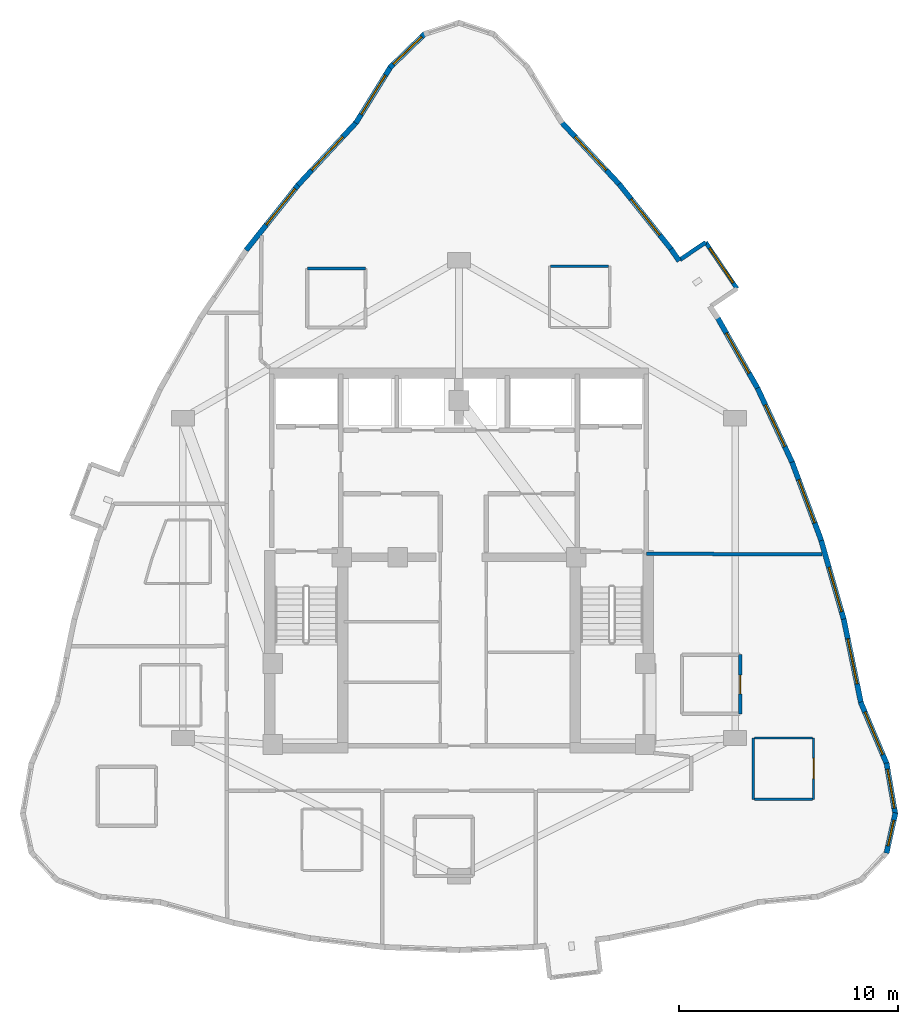
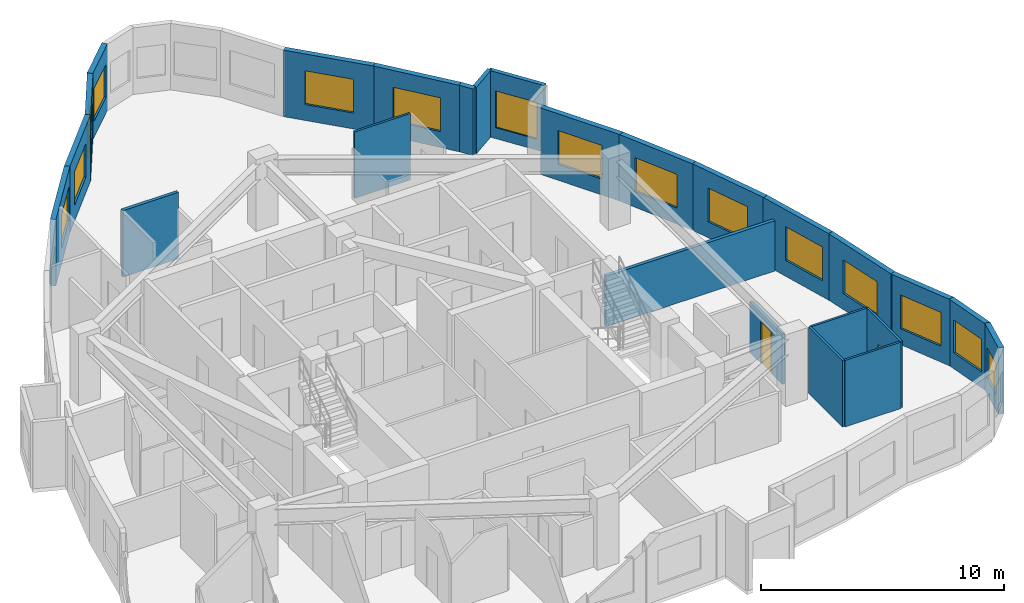
# One storey, part 7 of 9: 25 walls, 15 windows, 2 doors, 17 openings.
"""IFC4 building model written with IfcOpenShell, lengths in metres."""

from ifc_helpers import new_model, si_unit, direction, frame, frame_2d, origin, place, context, subcontext, project, spatial, rectangle, extrude, material, layer, layer_set, type_object, element, fill, save


model = new_model("IFC4")

# Units and contexts
model_context = context("Model", 3, precision=1e-05, world=origin(), true_north=direction((0.0, 1.0)))
body_context = subcontext(model_context, "Body", "Model", "MODEL_VIEW")
ifc_project = project(units=[si_unit("LENGTHUNIT", "METRE"), si_unit("AREAUNIT", "SQUARE_METRE"), si_unit("VOLUMEUNIT", "CUBIC_METRE"), si_unit("PLANEANGLEUNIT", "RADIAN"), si_unit("MASSUNIT", "GRAM", prefix="KILO")], contexts=[model_context])

# Site, building, storey
site_placement = place(None, origin())
site = spatial("IfcSite", under=ifc_project, at=site_placement, CompositionType="ELEMENT")
building_placement = place(site_placement, origin())
building = spatial("IfcBuilding", under=site, at=building_placement, Name="Miruveldt Soraemaru", CompositionType="ELEMENT")
storey_placement = place(building_placement, frame((0.0, 0.0, 244.800048828125)))
storey = spatial("IfcBuildingStorey", under=building, at=storey_placement, Name="L67", CompositionType="ELEMENT", Elevation=244.800048828125)

# Wall
ifc_material_1 = material(Name="White powder-coated aluminium EN AW-6060 T6", Category="aluminium")
ifc_layer_1 = layer(ifc_material_1, 0.18994140625, Name="White powder-coated aluminium EN AW-6060 T6", Category="aluminium")
ifc_layer_set_1 = layer_set([ifc_layer_1], Name="White powder-coated aluminium EN AW-6060 T6")
wall_type_1 = type_object("IfcWallType", Name="WALL-BAY-ALU190", PredefinedType="SOLIDWALL", material=ifc_layer_set_1)
wall_1_placement = place(storey_placement, frame((55.256103515625, 58.4208984375, 0.0), z_axis=(0.0, 0.0, 1.0), x_axis=(-0.827916124573, -0.56085193293, 0.0)))
element("IfcWall", 1, at=wall_1_placement, inside=storey, type_object=wall_type_1, Name="L67 Bay Window Side Cheek 3R", PredefinedType="SOLIDWALL", context=body_context, shape_type="SweptSolid", body=[
    extrude(rectangle(XDim=1.42529296875, YDim=0.18994140625, at=frame_2d((0.712646484375, 0.0))), origin(), (0.0, 0.0, 1.0), 3.344970703125),
])

# Wall, opening, window
wall_2_placement = place(storey_placement, frame((56.686767578125, 56.308837890625, 0.0), z_axis=(0.0, 0.0, 1.0), x_axis=(-0.560824867465, 0.827934458778, 0.0)))
wall_2 = element("IfcWall", 2, at=wall_2_placement, inside=storey, type_object=wall_type_1, Name="L67 Bay Window Front Frame 3", PredefinedType="SOLIDWALL", context=body_context, shape_type="SweptSolid", body=[
    extrude(rectangle(XDim=2.551025390625, YDim=0.18994140625, at=frame_2d((1.275390625, 0.0))), origin(), (0.0, 0.0, 1.0), 3.344970703125),
])
opening_1_placement = place(wall_2_placement, frame((0.325927734375, 0.0, 0.550048828125)))
opening_1 = element("IfcOpeningElement", 3, at=opening_1_placement, cuts=wall_2, Name="Opening WN-6", PredefinedType="OPENING", context=body_context, shape_type="SweptSolid", body=[
    extrude(rectangle(XDim=1.89990234375, YDim=1.85009765625, at=frame_2d((0.949951171875, 0.925048828125))), frame((0.0, 0.10498046875, 0.0), z_axis=(0.0, -1.0, 0.0), x_axis=(1.0, 0.0, 0.0)), (0.0, 0.0, 1.0), 0.2099609375),
])
ifc_material_2 = material(Name="Triple low-e insulated glazing", Category="glass")
window_type_1 = type_object("IfcWindowType", Name="WIN-BAYW-1900x1850", PartitioningType="SINGLE_PANEL", PredefinedType="WINDOW", material=ifc_material_2)
window_1_placement = place(opening_1_placement, origin())
window_1 = element("IfcWindow", 4, at=window_1_placement, inside=storey, type_object=window_type_1, Name="L67 Projecting Bay Window 3", OverallHeight=1.85009765625, OverallWidth=1.89990234375, PartitioningType="SINGLE_PANEL", PredefinedType="WINDOW", context=body_context, shape_type="SweptSolid", body=[
    extrude(rectangle(XDim=1.89990234375, YDim=1.85009765625, at=frame_2d((0.949951171875, 0.925048828125))), frame((0.0, 0.030029296875, 0.0), z_axis=(0.0, -1.0, 0.0), x_axis=(1.0, 0.0, 0.0)), (0.0, 0.0, 1.0), 0.06005859375),
])
fill(opening_1, window_1)

ifc_material_3 = material(Name="Precast concrete C45/55 (45 MPa)", Category="concrete")
ifc_layer_2 = layer(ifc_material_3, 0.239990234375, Name="Precast concrete C45/55 (45 MPa)", Category="concrete")
ifc_layer_set_2 = layer_set([ifc_layer_2], Name="Precast concrete C45/55 (45 MPa)")
wall_type_2 = type_object("IfcWallType", Name="WALL-EXT-PC240", PredefinedType="SOLIDWALL", material=ifc_layer_set_2)
wall_3_placement = place(storey_placement, frame((42.4609375, 67.959228515625, 0.0), z_axis=(0.0, 0.0, 1.0), x_axis=(-0.717772148555, -0.696278064252, 0.0)))
wall_3 = element("IfcWall", 5, at=wall_3_placement, inside=storey, type_object=wall_type_2, Name="L67 Precast Concrete Facade Wall 5", PredefinedType="SOLIDWALL", context=body_context, shape_type="SweptSolid", body=[
    extrude(rectangle(XDim=2.2490234375, YDim=0.239990234375, at=frame_2d((1.12451171875, 0.0))), origin(), (0.0, 0.0, 1.0), 3.344970703125),
])
opening_2_placement = place(wall_3_placement, frame((0.22509765625, 0.0, 0.800048828125)))
opening_2 = element("IfcOpeningElement", 6, at=opening_2_placement, cuts=wall_3, Name="Opening WN-2", PredefinedType="OPENING", context=body_context, shape_type="SweptSolid", body=[
    extrude(rectangle(XDim=1.800048828125, YDim=1.64990234375, at=frame_2d((0.89990234375, 0.824951171875))), frame((0.0, 0.1298828125, 0.0), z_axis=(0.0, -1.0, 0.0), x_axis=(1.0, 0.0, 0.0)), (0.0, 0.0, 1.0), 0.260009765625),
])
window_type_2 = type_object("IfcWindowType", Name="WIN-PUNCH-1800x1650", PartitioningType="SINGLE_PANEL", PredefinedType="WINDOW", material=ifc_material_2)
window_2_placement = place(opening_2_placement, origin())
window_2 = element("IfcWindow", 7, at=window_2_placement, inside=storey, type_object=window_type_2, Name="L67 Punched Triple-Glazed Window 05.1", OverallHeight=1.64990234375, OverallWidth=1.800048828125, PartitioningType="SINGLE_PANEL", PredefinedType="WINDOW", context=body_context, shape_type="SweptSolid", body=[
    extrude(rectangle(XDim=1.800048828125, YDim=1.64990234375, at=frame_2d((0.89990234375, 0.824951171875))), frame((0.0, 0.030029296875, 0.0), z_axis=(0.0, -1.0, 0.0), x_axis=(1.0, 0.0, 0.0)), (0.0, 0.0, 1.0), 0.06005859375),
])
fill(opening_2, window_2)

wall_4_placement = place(storey_placement, frame((40.89013671875, 66.447509765625, 0.0), z_axis=(0.0, 0.0, 1.0), x_axis=(-0.526092225985, -0.850427521755, 0.0)))
wall_4 = element("IfcWall", 8, at=wall_4_placement, inside=storey, type_object=wall_type_2, Name="L67 Precast Concrete Facade Wall 6", PredefinedType="SOLIDWALL", context=body_context, shape_type="SweptSolid", body=[
    extrude(rectangle(XDim=3.043212890625, YDim=0.239990234375, at=frame_2d((1.521484375, 0.0))), origin(), (0.0, 0.0, 1.0), 3.344970703125),
])
opening_3_placement = place(wall_4_placement, frame((0.471923828125, 0.0, 0.800048828125)))
opening_3 = element("IfcOpeningElement", 9, at=opening_3_placement, cuts=wall_4, Name="Opening WN-1", PredefinedType="OPENING", context=body_context, shape_type="SweptSolid", body=[
    extrude(rectangle(XDim=2.10009765625, YDim=1.699951171875, at=frame_2d((1.050048828125, 0.85009765625))), frame((0.0, 0.1298828125, 0.0), z_axis=(0.0, -1.0, 0.0), x_axis=(1.0, 0.0, 0.0)), (0.0, 0.0, 1.0), 0.260009765625),
])
window_type_3 = type_object("IfcWindowType", Name="WIN-PUNCH-2100x1700", PartitioningType="SINGLE_PANEL", PredefinedType="WINDOW", material=ifc_material_2)
window_3_placement = place(opening_3_placement, origin())
window_3 = element("IfcWindow", 10, at=window_3_placement, inside=storey, type_object=window_type_3, Name="L67 Punched Triple-Glazed Window 06.1", OverallHeight=1.699951171875, OverallWidth=2.10009765625, PartitioningType="SINGLE_PANEL", PredefinedType="WINDOW", context=body_context, shape_type="SweptSolid", body=[
    extrude(rectangle(XDim=2.10009765625, YDim=1.699951171875, at=frame_2d((1.050048828125, 0.85009765625))), frame((0.0, 0.030029296875, 0.0), z_axis=(0.0, -1.0, 0.0), x_axis=(1.0, 0.0, 0.0)), (0.0, 0.0, 1.0), 0.06005859375),
])
fill(opening_3, window_3)

wall_5_placement = place(storey_placement, frame((39.331298828125, 63.914794921875, 0.0), z_axis=(0.0, 0.0, 1.0), x_axis=(-0.680874316981, -0.73240027613, 0.0)))
wall_5 = element("IfcWall", 11, at=wall_5_placement, inside=storey, type_object=wall_type_2, Name="L67 Precast Concrete Facade Wall 7", PredefinedType="SOLIDWALL", context=body_context, shape_type="SweptSolid", body=[
    extrude(rectangle(XDim=3.9375, YDim=0.239990234375, at=frame_2d((1.96875, 0.0))), origin(), (0.0, 0.0, 1.0), 3.344970703125),
])
opening_4_placement = place(wall_5_placement, frame((0.9189453125, 0.0, 0.800048828125)))
opening_4 = element("IfcOpeningElement", 12, at=opening_4_placement, cuts=wall_5, Name="Opening WN-1", PredefinedType="OPENING", context=body_context, shape_type="SweptSolid", body=[
    extrude(rectangle(XDim=2.10009765625, YDim=1.699951171875, at=frame_2d((1.050048828125, 0.85009765625))), frame((0.0, 0.1298828125, 0.0), z_axis=(0.0, -1.0, 0.0), x_axis=(1.0, 0.0, 0.0)), (0.0, 0.0, 1.0), 0.260009765625),
])
window_4_placement = place(opening_4_placement, origin())
window_4 = element("IfcWindow", 13, at=window_4_placement, inside=storey, type_object=window_type_3, Name="L67 Punched Triple-Glazed Window 07.1", OverallHeight=1.699951171875, OverallWidth=2.10009765625, PartitioningType="SINGLE_PANEL", PredefinedType="WINDOW", context=body_context, shape_type="SweptSolid", body=[
    extrude(rectangle(XDim=2.10009765625, YDim=1.699951171875, at=frame_2d((1.050048828125, 0.85009765625))), frame((0.0, 0.030029296875, 0.0), z_axis=(0.0, -1.0, 0.0), x_axis=(1.0, 0.0, 0.0)), (0.0, 0.0, 1.0), 0.06005859375),
])
fill(opening_4, window_4)

wall_6_placement = place(storey_placement, frame((36.696044921875, 61.083984375, 0.0), z_axis=(0.0, 0.0, 1.0), x_axis=(-0.623616809325, -0.781730180515, 0.0)))
wall_6 = element("IfcWall", 14, at=wall_6_placement, inside=storey, type_object=wall_type_2, Name="L67 Precast Concrete Facade Wall 8", PredefinedType="SOLIDWALL", context=body_context, shape_type="SweptSolid", body=[
    extrude(rectangle(XDim=3.867919921875, YDim=0.239990234375, at=frame_2d((1.93408203125, 0.0))), origin(), (0.0, 0.0, 1.0), 3.344970703125),
])
opening_5_placement = place(wall_6_placement, frame((0.281982421875, 0.0, 0.800048828125)))
opening_5 = element("IfcOpeningElement", 15, at=opening_5_placement, cuts=wall_6, Name="Opening WN-1", PredefinedType="OPENING", context=body_context, shape_type="SweptSolid", body=[
    extrude(rectangle(XDim=2.10009765625, YDim=1.699951171875, at=frame_2d((1.050048828125, 0.85009765625))), frame((0.0, 0.1298828125, 0.0), z_axis=(0.0, -1.0, 0.0), x_axis=(1.0, 0.0, 0.0)), (0.0, 0.0, 1.0), 0.260009765625),
])
window_5_placement = place(opening_5_placement, origin())
window_5 = element("IfcWindow", 16, at=window_5_placement, inside=storey, type_object=window_type_3, Name="L67 Punched Triple-Glazed Window 08.1", OverallHeight=1.699951171875, OverallWidth=2.10009765625, PartitioningType="SINGLE_PANEL", PredefinedType="WINDOW", context=body_context, shape_type="SweptSolid", body=[
    extrude(rectangle(XDim=2.10009765625, YDim=1.699951171875, at=frame_2d((1.050048828125, 0.85009765625))), frame((0.0, 0.030029296875, 0.0), z_axis=(0.0, -1.0, 0.0), x_axis=(1.0, 0.0, 0.0)), (0.0, 0.0, 1.0), 0.06005859375),
])
fill(opening_5, window_5)

wall_7_placement = place(storey_placement, frame((63.509521484375, 30.54541015625, 0.0), z_axis=(0.0, 0.0, 1.0), x_axis=(0.215502390858, 0.976503312608, 0.0)))
wall_7 = element("IfcWall", 17, at=wall_7_placement, inside=storey, type_object=wall_type_2, Name="L67 Precast Concrete Facade Wall 32", PredefinedType="SOLIDWALL", context=body_context, shape_type="SweptSolid", body=[
    extrude(rectangle(XDim=1.8828125, YDim=0.239990234375, at=frame_2d((0.94140625, 0.0))), origin(), (0.0, 0.0, 1.0), 3.344970703125),
])
opening_6_placement = place(wall_7_placement, frame((0.342041015625, 0.0, 0.780029296875)))
opening_6 = element("IfcOpeningElement", 18, at=opening_6_placement, cuts=wall_7, Name="Opening WN-4", PredefinedType="OPENING", context=body_context, shape_type="SweptSolid", body=[
    extrude(rectangle(XDim=1.199951171875, YDim=1.550048828125, at=frame_2d((0.60009765625, 0.77490234375))), frame((0.0, 0.1298828125, 0.0), z_axis=(0.0, -1.0, 0.0), x_axis=(1.0, 0.0, 0.0)), (0.0, 0.0, 1.0), 0.260009765625),
])
window_type_4 = type_object("IfcWindowType", Name="WIN-PUNCH-1200x1550", PartitioningType="SINGLE_PANEL", PredefinedType="WINDOW", material=ifc_material_2)
window_6_placement = place(opening_6_placement, origin())
window_6 = element("IfcWindow", 19, at=window_6_placement, inside=storey, type_object=window_type_4, Name="L67 Punched Triple-Glazed Window 32.1", OverallHeight=1.550048828125, OverallWidth=1.199951171875, PartitioningType="SINGLE_PANEL", PredefinedType="WINDOW", context=body_context, shape_type="SweptSolid", body=[
    extrude(rectangle(XDim=1.199951171875, YDim=1.550048828125, at=frame_2d((0.60009765625, 0.77490234375))), frame((0.0, 0.030029296875, 0.0), z_axis=(0.0, -1.0, 0.0), x_axis=(1.0, 0.0, 0.0)), (0.0, 0.0, 1.0), 0.06005859375),
])
fill(opening_6, window_6)

wall_8_placement = place(storey_placement, frame((63.913818359375, 32.315185546875, 0.0), z_axis=(0.0, 0.0, 1.0), x_axis=(-0.16932268842, 0.985560666416, 0.0)))
wall_8 = element("IfcWall", 20, at=wall_8_placement, inside=storey, type_object=wall_type_2, Name="L67 Precast Concrete Facade Wall 33", PredefinedType="SOLIDWALL", context=body_context, shape_type="SweptSolid", body=[
    extrude(rectangle(XDim=2.379150390625, YDim=0.239990234375, at=frame_2d((1.189453125, 0.0))), origin(), (0.0, 0.0, 1.0), 3.344970703125),
])
opening_7_placement = place(wall_8_placement, frame((0.2890625, 0.0, 0.800048828125)))
opening_7 = element("IfcOpeningElement", 21, at=opening_7_placement, cuts=wall_8, Name="Opening WN-2", PredefinedType="OPENING", context=body_context, shape_type="SweptSolid", body=[
    extrude(rectangle(XDim=1.800048828125, YDim=1.64990234375, at=frame_2d((0.89990234375, 0.824951171875))), frame((0.0, 0.1298828125, 0.0), z_axis=(0.0, -1.0, 0.0), x_axis=(1.0, 0.0, 0.0)), (0.0, 0.0, 1.0), 0.260009765625),
])
window_7_placement = place(opening_7_placement, origin())
window_7 = element("IfcWindow", 22, at=window_7_placement, inside=storey, type_object=window_type_2, Name="L67 Punched Triple-Glazed Window 33.1", OverallHeight=1.64990234375, OverallWidth=1.800048828125, PartitioningType="SINGLE_PANEL", PredefinedType="WINDOW", context=body_context, shape_type="SweptSolid", body=[
    extrude(rectangle(XDim=1.800048828125, YDim=1.64990234375, at=frame_2d((0.89990234375, 0.824951171875))), frame((0.0, 0.030029296875, 0.0), z_axis=(0.0, -1.0, 0.0), x_axis=(1.0, 0.0, 0.0)), (0.0, 0.0, 1.0), 0.06005859375),
])
fill(opening_7, window_7)

wall_9_placement = place(storey_placement, frame((63.530517578125, 34.59326171875, 0.0), z_axis=(0.0, 0.0, 1.0), x_axis=(-0.388647035021, 0.921386716949, 0.0)))
wall_9 = element("IfcWall", 23, at=wall_9_placement, inside=storey, type_object=wall_type_2, Name="L67 Precast Concrete Facade Wall 34", PredefinedType="SOLIDWALL", context=body_context, shape_type="SweptSolid", body=[
    extrude(rectangle(XDim=3.0888671875, YDim=0.239990234375, at=frame_2d((1.54443359375, 0.0))), origin(), (0.0, 0.0, 1.0), 3.344970703125),
])
opening_8_placement = place(wall_9_placement, frame((0.493896484375, 0.0, 0.800048828125)))
opening_8 = element("IfcOpeningElement", 24, at=opening_8_placement, cuts=wall_9, Name="Opening WN-1", PredefinedType="OPENING", context=body_context, shape_type="SweptSolid", body=[
    extrude(rectangle(XDim=2.10009765625, YDim=1.699951171875, at=frame_2d((1.050048828125, 0.85009765625))), frame((0.0, 0.1298828125, 0.0), z_axis=(0.0, -1.0, 0.0), x_axis=(1.0, 0.0, 0.0)), (0.0, 0.0, 1.0), 0.260009765625),
])
window_8_placement = place(opening_8_placement, origin())
window_8 = element("IfcWindow", 25, at=window_8_placement, inside=storey, type_object=window_type_3, Name="L67 Punched Triple-Glazed Window 34.1", OverallHeight=1.699951171875, OverallWidth=2.10009765625, PartitioningType="SINGLE_PANEL", PredefinedType="WINDOW", context=body_context, shape_type="SweptSolid", body=[
    extrude(rectangle(XDim=2.10009765625, YDim=1.699951171875, at=frame_2d((1.050048828125, 0.85009765625))), frame((0.0, 0.030029296875, 0.0), z_axis=(0.0, -1.0, 0.0), x_axis=(1.0, 0.0, 0.0)), (0.0, 0.0, 1.0), 0.06005859375),
])
fill(opening_8, window_8)

wall_10_placement = place(storey_placement, frame((62.350830078125, 37.37255859375, 0.0), z_axis=(0.0, 0.0, 1.0), x_axis=(-0.201574193265, 0.979473248542, 0.0)))
wall_10 = element("IfcWall", 26, at=wall_10_placement, inside=storey, type_object=wall_type_2, Name="L67 Precast Concrete Facade Wall 35", PredefinedType="SOLIDWALL", context=body_context, shape_type="SweptSolid", body=[
    extrude(rectangle(XDim=3.9375, YDim=0.239990234375, at=frame_2d((1.96875, 0.0))), origin(), (0.0, 0.0, 1.0), 3.344970703125),
])
opening_9_placement = place(wall_10_placement, frame((0.9189453125, 0.0, 0.800048828125)))
opening_9 = element("IfcOpeningElement", 27, at=opening_9_placement, cuts=wall_10, Name="Opening WN-1", PredefinedType="OPENING", context=body_context, shape_type="SweptSolid", body=[
    extrude(rectangle(XDim=2.10009765625, YDim=1.699951171875, at=frame_2d((1.050048828125, 0.85009765625))), frame((0.0, 0.1298828125, 0.0), z_axis=(0.0, -1.0, 0.0), x_axis=(1.0, 0.0, 0.0)), (0.0, 0.0, 1.0), 0.260009765625),
])
window_9_placement = place(opening_9_placement, origin())
window_9 = element("IfcWindow", 28, at=window_9_placement, inside=storey, type_object=window_type_3, Name="L67 Punched Triple-Glazed Window 35.1", OverallHeight=1.699951171875, OverallWidth=2.10009765625, PartitioningType="SINGLE_PANEL", PredefinedType="WINDOW", context=body_context, shape_type="SweptSolid", body=[
    extrude(rectangle(XDim=2.10009765625, YDim=1.699951171875, at=frame_2d((1.050048828125, 0.85009765625))), frame((0.0, 0.030029296875, 0.0), z_axis=(0.0, -1.0, 0.0), x_axis=(1.0, 0.0, 0.0)), (0.0, 0.0, 1.0), 0.06005859375),
])
fill(opening_9, window_9)

wall_11_placement = place(storey_placement, frame((61.57373046875, 41.161376953125, 0.0), z_axis=(0.0, 0.0, 1.0), x_axis=(-0.27493786248, 0.961461997052, 0.0)))
wall_11 = element("IfcWall", 29, at=wall_11_placement, inside=storey, type_object=wall_type_2, Name="L67 Precast Concrete Facade Wall 36", PredefinedType="SOLIDWALL", context=body_context, shape_type="SweptSolid", body=[
    extrude(rectangle(XDim=3.8681640625, YDim=0.239990234375, at=frame_2d((1.93408203125, 0.0))), origin(), (0.0, 0.0, 1.0), 3.344970703125),
])
opening_10_placement = place(wall_11_placement, frame((0.4208984375, 0.0, 0.800048828125)))
opening_10 = element("IfcOpeningElement", 30, at=opening_10_placement, cuts=wall_11, Name="Opening WN-1", PredefinedType="OPENING", context=body_context, shape_type="SweptSolid", body=[
    extrude(rectangle(XDim=2.10009765625, YDim=1.699951171875, at=frame_2d((1.050048828125, 0.85009765625))), frame((0.0, 0.1298828125, 0.0), z_axis=(0.0, -1.0, 0.0), x_axis=(1.0, 0.0, 0.0)), (0.0, 0.0, 1.0), 0.260009765625),
])
window_10_placement = place(opening_10_placement, origin())
window_10 = element("IfcWindow", 31, at=window_10_placement, inside=storey, type_object=window_type_3, Name="L67 Punched Triple-Glazed Window 36.1", OverallHeight=1.699951171875, OverallWidth=2.10009765625, PartitioningType="SINGLE_PANEL", PredefinedType="WINDOW", context=body_context, shape_type="SweptSolid", body=[
    extrude(rectangle(XDim=2.10009765625, YDim=1.699951171875, at=frame_2d((1.050048828125, 0.85009765625))), frame((0.0, 0.030029296875, 0.0), z_axis=(0.0, -1.0, 0.0), x_axis=(1.0, 0.0, 0.0)), (0.0, 0.0, 1.0), 0.06005859375),
])
fill(opening_10, window_10)

wall_12_placement = place(storey_placement, frame((60.531982421875, 44.813720703125, 0.0), z_axis=(0.0, 0.0, 1.0), x_axis=(-0.349007803454, 0.937119817915, 0.0)))
wall_12 = element("IfcWall", 32, at=wall_12_placement, inside=storey, type_object=wall_type_2, Name="L67 Precast Concrete Facade Wall 37", PredefinedType="SOLIDWALL", context=body_context, shape_type="SweptSolid", body=[
    extrude(rectangle(XDim=3.82080078125, YDim=0.239990234375, at=frame_2d((1.910400390625, 0.0))), origin(), (0.0, 0.0, 1.0), 3.344970703125),
])
opening_11_placement = place(wall_12_placement, frame((0.861083984375, 0.0, 0.800048828125)))
opening_11 = element("IfcOpeningElement", 33, at=opening_11_placement, cuts=wall_12, Name="Opening WN-1", PredefinedType="OPENING", context=body_context, shape_type="SweptSolid", body=[
    extrude(rectangle(XDim=2.10009765625, YDim=1.699951171875, at=frame_2d((1.050048828125, 0.85009765625))), frame((0.0, 0.1298828125, 0.0), z_axis=(0.0, -1.0, 0.0), x_axis=(1.0, 0.0, 0.0)), (0.0, 0.0, 1.0), 0.260009765625),
])
window_11_placement = place(opening_11_placement, origin())
window_11 = element("IfcWindow", 34, at=window_11_placement, inside=storey, type_object=window_type_3, Name="L67 Punched Triple-Glazed Window 37.1", OverallHeight=1.699951171875, OverallWidth=2.10009765625, PartitioningType="SINGLE_PANEL", PredefinedType="WINDOW", context=body_context, shape_type="SweptSolid", body=[
    extrude(rectangle(XDim=2.10009765625, YDim=1.699951171875, at=frame_2d((1.050048828125, 0.85009765625))), frame((0.0, 0.030029296875, 0.0), z_axis=(0.0, -1.0, 0.0), x_axis=(1.0, 0.0, 0.0)), (0.0, 0.0, 1.0), 0.06005859375),
])
fill(opening_11, window_11)

wall_13_placement = place(storey_placement, frame((59.2255859375, 48.329833984375, 0.0), z_axis=(0.0, 0.0, 1.0), x_axis=(-0.422353902845, 0.906431012682, 0.0)))
wall_13 = element("IfcWall", 35, at=wall_13_placement, inside=storey, type_object=wall_type_2, Name="L67 Precast Concrete Facade Wall 38", PredefinedType="SOLIDWALL", context=body_context, shape_type="SweptSolid", body=[
    extrude(rectangle(XDim=3.797119140625, YDim=0.239990234375, at=frame_2d((1.8984375, 0.0))), origin(), (0.0, 0.0, 1.0), 3.344970703125),
])
opening_12_placement = place(wall_13_placement, frame((0.84912109375, 0.0, 0.800048828125)))
opening_12 = element("IfcOpeningElement", 36, at=opening_12_placement, cuts=wall_13, Name="Opening WN-1", PredefinedType="OPENING", context=body_context, shape_type="SweptSolid", body=[
    extrude(rectangle(XDim=2.10009765625, YDim=1.699951171875, at=frame_2d((1.050048828125, 0.85009765625))), frame((0.0, 0.1298828125, 0.0), z_axis=(0.0, -1.0, 0.0), x_axis=(1.0, 0.0, 0.0)), (0.0, 0.0, 1.0), 0.260009765625),
])
window_12_placement = place(opening_12_placement, origin())
window_12 = element("IfcWindow", 37, at=window_12_placement, inside=storey, type_object=window_type_3, Name="L67 Punched Triple-Glazed Window 38.1", OverallHeight=1.699951171875, OverallWidth=2.10009765625, PartitioningType="SINGLE_PANEL", PredefinedType="WINDOW", context=body_context, shape_type="SweptSolid", body=[
    extrude(rectangle(XDim=2.10009765625, YDim=1.699951171875, at=frame_2d((1.050048828125, 0.85009765625))), frame((0.0, 0.030029296875, 0.0), z_axis=(0.0, -1.0, 0.0), x_axis=(1.0, 0.0, 0.0)), (0.0, 0.0, 1.0), 0.06005859375),
])
fill(opening_12, window_12)

wall_14_placement = place(storey_placement, frame((57.654052734375, 51.709716796875, 0.0), z_axis=(0.0, 0.0, 1.0), x_axis=(-0.493408355717, 0.869797789437, 0.0)))
wall_14 = element("IfcWall", 38, at=wall_14_placement, inside=storey, type_object=wall_type_2, Name="L67 Precast Concrete Facade Wall 39", PredefinedType="SOLIDWALL", context=body_context, shape_type="SweptSolid", body=[
    extrude(rectangle(XDim=3.797119140625, YDim=0.239990234375, at=frame_2d((1.8984375, 0.0))), origin(), (0.0, 0.0, 1.0), 3.344970703125),
])
opening_13_placement = place(wall_14_placement, frame((0.84912109375, 0.0, 0.800048828125)))
opening_13 = element("IfcOpeningElement", 39, at=opening_13_placement, cuts=wall_14, Name="Opening WN-1", PredefinedType="OPENING", context=body_context, shape_type="SweptSolid", body=[
    extrude(rectangle(XDim=2.10009765625, YDim=1.699951171875, at=frame_2d((1.050048828125, 0.85009765625))), frame((0.0, 0.1298828125, 0.0), z_axis=(0.0, -1.0, 0.0), x_axis=(1.0, 0.0, 0.0)), (0.0, 0.0, 1.0), 0.260009765625),
])
window_13_placement = place(opening_13_placement, origin())
window_13 = element("IfcWindow", 40, at=window_13_placement, inside=storey, type_object=window_type_3, Name="L67 Punched Triple-Glazed Window 39.1", OverallHeight=1.699951171875, OverallWidth=2.10009765625, PartitioningType="SINGLE_PANEL", PredefinedType="WINDOW", context=body_context, shape_type="SweptSolid", body=[
    extrude(rectangle(XDim=2.10009765625, YDim=1.699951171875, at=frame_2d((1.050048828125, 0.85009765625))), frame((0.0, 0.030029296875, 0.0), z_axis=(0.0, -1.0, 0.0), x_axis=(1.0, 0.0, 0.0)), (0.0, 0.0, 1.0), 0.06005859375),
])
fill(opening_13, window_13)

# Wall
wall_15_placement = place(storey_placement, frame((54.047607421875, 57.566162109375, 0.0), z_axis=(0.0, 0.0, 1.0), x_axis=(-0.560953666904, 0.827847198212, 0.0)))
element("IfcWall", 41, at=wall_15_placement, inside=storey, type_object=wall_type_2, Name="L67 Precast Pier Wall 40B", PredefinedType="SOLIDWALL", context=body_context, shape_type="SweptSolid", body=[
    extrude(rectangle(XDim=0.6650390625, YDim=0.239990234375, at=frame_2d((0.33251953125, 0.0))), origin(), (0.0, 0.0, 1.0), 3.344970703125),
])

# Wall, opening, window
wall_16_placement = place(storey_placement, frame((53.716064453125, 58.060302734375, 0.0), z_axis=(0.0, 0.0, 1.0), x_axis=(-0.623616809325, 0.781730180515, 0.0)))
wall_16 = element("IfcWall", 42, at=wall_16_placement, inside=storey, type_object=wall_type_2, Name="L67 Precast Concrete Facade Wall 41", PredefinedType="SOLIDWALL", context=body_context, shape_type="SweptSolid", body=[
    extrude(rectangle(XDim=3.867919921875, YDim=0.239990234375, at=frame_2d((1.93408203125, 0.0))), origin(), (0.0, 0.0, 1.0), 3.344970703125),
])
opening_14_placement = place(wall_16_placement, frame((0.884033203125, 0.0, 0.800048828125)))
opening_14 = element("IfcOpeningElement", 43, at=opening_14_placement, cuts=wall_16, Name="Opening WN-1", PredefinedType="OPENING", context=body_context, shape_type="SweptSolid", body=[
    extrude(rectangle(XDim=2.10009765625, YDim=1.699951171875, at=frame_2d((1.050048828125, 0.85009765625))), frame((0.0, 0.1298828125, 0.0), z_axis=(0.0, -1.0, 0.0), x_axis=(1.0, 0.0, 0.0)), (0.0, 0.0, 1.0), 0.260009765625),
])
window_14_placement = place(opening_14_placement, origin())
window_14 = element("IfcWindow", 44, at=window_14_placement, inside=storey, type_object=window_type_3, Name="L67 Punched Triple-Glazed Window 41.1", OverallHeight=1.699951171875, OverallWidth=2.10009765625, PartitioningType="SINGLE_PANEL", PredefinedType="WINDOW", context=body_context, shape_type="SweptSolid", body=[
    extrude(rectangle(XDim=2.10009765625, YDim=1.699951171875, at=frame_2d((1.050048828125, 0.85009765625))), frame((0.0, 0.030029296875, 0.0), z_axis=(0.0, -1.0, 0.0), x_axis=(1.0, 0.0, 0.0)), (0.0, 0.0, 1.0), 0.06005859375),
])
fill(opening_14, window_14)

wall_17_placement = place(storey_placement, frame((51.349609375, 61.031005859375, 0.0), z_axis=(0.0, 0.0, 1.0), x_axis=(-0.680874316981, 0.73240027613, 0.0)))
wall_17 = element("IfcWall", 45, at=wall_17_placement, inside=storey, type_object=wall_type_2, Name="L67 Precast Concrete Facade Wall 42", PredefinedType="SOLIDWALL", context=body_context, shape_type="SweptSolid", body=[
    extrude(rectangle(XDim=3.9375, YDim=0.239990234375, at=frame_2d((1.96875, 0.0))), origin(), (0.0, 0.0, 1.0), 3.344970703125),
])
opening_15_placement = place(wall_17_placement, frame((0.9189453125, 0.0, 0.800048828125)))
opening_15 = element("IfcOpeningElement", 46, at=opening_15_placement, cuts=wall_17, Name="Opening WN-1", PredefinedType="OPENING", context=body_context, shape_type="SweptSolid", body=[
    extrude(rectangle(XDim=2.10009765625, YDim=1.699951171875, at=frame_2d((1.050048828125, 0.85009765625))), frame((0.0, 0.1298828125, 0.0), z_axis=(0.0, -1.0, 0.0), x_axis=(1.0, 0.0, 0.0)), (0.0, 0.0, 1.0), 0.260009765625),
])
window_15_placement = place(opening_15_placement, origin())
window_15 = element("IfcWindow", 47, at=window_15_placement, inside=storey, type_object=window_type_3, Name="L67 Punched Triple-Glazed Window 42.1", OverallHeight=1.699951171875, OverallWidth=2.10009765625, PartitioningType="SINGLE_PANEL", PredefinedType="WINDOW", context=body_context, shape_type="SweptSolid", body=[
    extrude(rectangle(XDim=2.10009765625, YDim=1.699951171875, at=frame_2d((1.050048828125, 0.85009765625))), frame((0.0, 0.030029296875, 0.0), z_axis=(0.0, -1.0, 0.0), x_axis=(1.0, 0.0, 0.0)), (0.0, 0.0, 1.0), 0.06005859375),
])
fill(opening_15, window_15)

# Wall, opening, door
ifc_material_4 = material(Name="Gypsum plasterboard lining", Category="gypsum")
ifc_layer_3 = layer(ifc_material_4, 0.10009765625, Name="Gypsum plasterboard lining", Category="gypsum")
ifc_layer_set_3 = layer_set([ifc_layer_3], Name="Gypsum plasterboard lining")
wall_type_3 = type_object("IfcWallType", Name="WALL-INT-P100", PredefinedType="PARTITIONING", material=ifc_layer_set_3)
wall_18_placement = place(storey_placement, frame((60.179931640625, 33.006103515625, 0.0), z_axis=(0.0, 0.0, 1.0), x_axis=(0.0, 1.0, 0.0)))
wall_18 = element("IfcWall", 48, at=wall_18_placement, inside=storey, type_object=wall_type_3, Name="L67 Partition Wall 53", PredefinedType="PARTITIONING", context=body_context, shape_type="SweptSolid", body=[
    extrude(rectangle(XDim=2.7998046875, YDim=0.10009765625, at=frame_2d((1.39990234375, 0.0))), origin(), (0.0, 0.0, 1.0), 3.344970703125),
])
opening_16_placement = place(wall_18_placement, frame((0.93994140625, 0.0, 0.0)))
opening_16 = element("IfcOpeningElement", 49, at=opening_16_placement, cuts=wall_18, Name="Opening D3A", PredefinedType="OPENING", context=body_context, shape_type="SweptSolid", body=[
    extrude(rectangle(XDim=0.919921875, YDim=2.10009765625, at=frame_2d((0.4599609375, 1.050048828125))), frame((0.0, 0.06005859375, 0.0), z_axis=(0.0, -1.0, 0.0), x_axis=(1.0, 0.0, 0.0)), (0.0, 0.0, 1.0), 0.1201171875),
])
ifc_material_5 = material(Name="Anodised aluminium EN AW-6063 T6", Category="aluminium")
door_type_1 = type_object("IfcDoorType", Name="DOOR-INT-920", OperationType="NOTDEFINED", PredefinedType="DOOR", material=ifc_material_5)
door_1_placement = place(opening_16_placement, origin())
door_1 = element("IfcDoor", 50, at=door_1_placement, inside=storey, type_object=door_type_1, Name="L67 Unit CL07 KIT Door", OperationType="SINGLE_SWING_LEFT", OverallHeight=2.10009765625, OverallWidth=0.919921875, PredefinedType="DOOR", context=body_context, shape_type="SweptSolid", body=[
    extrude(rectangle(XDim=0.919921875, YDim=2.10009765625, at=frame_2d((0.4599609375, 1.050048828125))), frame((0.0, 0.02490234375, 0.0), z_axis=(0.0, -1.0, 0.0), x_axis=(1.0, 0.0, 0.0)), (0.0, 0.0, 1.0), 0.050048828125),
])
fill(opening_16, door_1)

# Walls
wall_19_placement = place(storey_placement, frame((57.429931640625, 35.805908203125, 0.0), z_axis=(0.0, 0.0, 1.0), x_axis=(0.0, -1.0, 0.0)))
element("IfcWall", 51, at=wall_19_placement, inside=storey, type_object=wall_type_3, Name="L67 Partition Wall 55", PredefinedType="PARTITIONING", context=body_context, shape_type="SweptSolid", body=[
    extrude(rectangle(XDim=2.7998046875, YDim=0.10009765625, at=frame_2d((1.39990234375, 0.0))), origin(), (0.0, 0.0, 1.0), 3.344970703125),
])
for number, where, z_axis, x_axis, name in (
    (52, (60.1298828125, 35.805908203125, 0.0), (0.0, 0.0, 1.0), (-1.0, 0.0, 0.0), "L67 Partition Wall 54"),
    (53, (57.47998046875, 33.006103515625, 0.0), (0.0, 0.0, 1.0), (1.0, 0.0, 0.0), "L67 Partition Wall 56"),
):
    element("IfcWall", number, at=place(storey_placement, frame(where, z_axis=z_axis, x_axis=x_axis)), inside=storey, type_object=wall_type_3, Name=name, PredefinedType="PARTITIONING", context=body_context, shape_type="SweptSolid", body=[
        extrude(rectangle(XDim=2.64990234375, YDim=0.10009765625, at=frame_2d((1.324951171875, 0.0))), origin(), (0.0, 0.0, 1.0), 3.344970703125),
    ])
wall_20_placement = place(storey_placement, frame((50.830078125, 57.330078125, 0.0), z_axis=(0.0, 0.0, 1.0), x_axis=(-1.0, 0.0, 0.0)))
element("IfcWall", 54, at=wall_20_placement, inside=storey, type_object=wall_type_3, Name="L67 Partition Wall 18", PredefinedType="PARTITIONING", context=body_context, shape_type="SweptSolid", body=[
    extrude(rectangle(XDim=2.650146484375, YDim=0.10009765625, at=frame_2d((1.3251953125, 0.0))), origin(), (0.0, 0.0, 1.0), 3.344970703125),
])

# Wall, opening, door
ifc_layer_4 = layer(ifc_material_4, 0.14990234375, Name="Gypsum plasterboard lining", Category="gypsum")
ifc_layer_set_4 = layer_set([ifc_layer_4], Name="Gypsum plasterboard lining")
wall_type_4 = type_object("IfcWallType", Name="WALL-INT-PLUMB", PredefinedType="PLUMBINGWALL", material=ifc_layer_set_4)
wall_21_placement = place(storey_placement, frame((56.830078125, 36.906005859375, 0.0), z_axis=(0.0, 0.0, 1.0), x_axis=(0.0, 1.0, 0.0)))
wall_21 = element("IfcWall", 55, at=wall_21_placement, inside=storey, type_object=wall_type_4, Name="L67 Partition Wall 49", PredefinedType="PLUMBINGWALL", context=body_context, shape_type="SweptSolid", body=[
    extrude(rectangle(XDim=2.699951171875, YDim=0.14990234375, at=frame_2d((1.35009765625, 0.0))), origin(), (0.0, 0.0, 1.0), 2.532958984375),
])
opening_17_placement = place(wall_21_placement, frame((0.909912109375, 0.0, 0.0)))
opening_17 = element("IfcOpeningElement", 56, at=opening_17_placement, cuts=wall_21, Name="Opening FD3", PredefinedType="OPENING", context=body_context, shape_type="SweptSolid", body=[
    extrude(rectangle(XDim=0.85009765625, YDim=2.10009765625, at=frame_2d((0.425048828125, 1.050048828125))), frame((0.0, 0.0849609375, 0.0), z_axis=(0.0, -1.0, 0.0), x_axis=(1.0, 0.0, 0.0)), (0.0, 0.0, 1.0), 0.169921875),
])
door_type_2 = type_object("IfcDoorType", Name="DOOR-FD3-850", OperationType="NOTDEFINED", PredefinedType="DOOR", material=ifc_material_5)
door_2_placement = place(opening_17_placement, origin())
door_2 = element("IfcDoor", 57, at=door_2_placement, inside=storey, type_object=door_type_2, Name="L67 Unit CL07 BTH Door", OperationType="SINGLE_SWING_RIGHT", OverallHeight=2.10009765625, OverallWidth=0.85009765625, PredefinedType="DOOR", context=body_context, shape_type="SweptSolid", body=[
    extrude(rectangle(XDim=0.85009765625, YDim=2.10009765625, at=frame_2d((0.425048828125, 1.050048828125))), frame((0.0, 0.02490234375, 0.0), z_axis=(0.0, -1.0, 0.0), x_axis=(1.0, 0.0, 0.0)), (0.0, 0.0, 1.0), 0.050048828125),
])
fill(opening_17, door_2)

# Walls
wall_22_placement = place(storey_placement, frame((39.72998046875, 57.22998046875, 0.0), z_axis=(0.0, 0.0, 1.0), x_axis=(-1.0, 0.0, 0.0)))
element("IfcWall", 58, at=wall_22_placement, inside=storey, type_object=wall_type_4, Name="L67 Partition Wall 14", PredefinedType="PLUMBINGWALL", context=body_context, shape_type="SweptSolid", body=[
    extrude(rectangle(XDim=2.64990234375, YDim=0.14990234375, at=frame_2d((1.324951171875, 0.0))), origin(), (0.0, 0.0, 1.0), 3.344970703125),
])
ifc_material_6 = material(Name="Concrete C40/50 (40 MPa)", Category="concrete")
ifc_layer_5 = layer(ifc_material_6, 0.159912109375, Name="Concrete C40/50 (40 MPa)", Category="concrete")
ifc_layer_set_5 = layer_set([ifc_layer_5], Name="Concrete C40/50 (40 MPa)")
wall_type_5 = type_object("IfcWallType", Name="WALL-INT-RC160", PredefinedType="SOLIDWALL", material=ifc_layer_set_5)
wall_23_placement = place(storey_placement, frame((52.550048828125, 44.205322265625, 0.0), z_axis=(0.0, 0.0, 1.0), x_axis=(0.999996807293, -0.002526935852, 0.0)))
element("IfcWall", 59, at=wall_23_placement, inside=storey, type_object=wall_type_5, Name="L67 Partition Wall 22", PredefinedType="SOLIDWALL", context=body_context, shape_type="SweptSolid", body=[
    extrude(rectangle(XDim=8.01904296875, YDim=0.159912109375, at=frame_2d((4.009521484375, 0.0))), origin(), (0.0, 0.0, 1.0), 2.532958984375),
])

save(model, "model.ifc")
